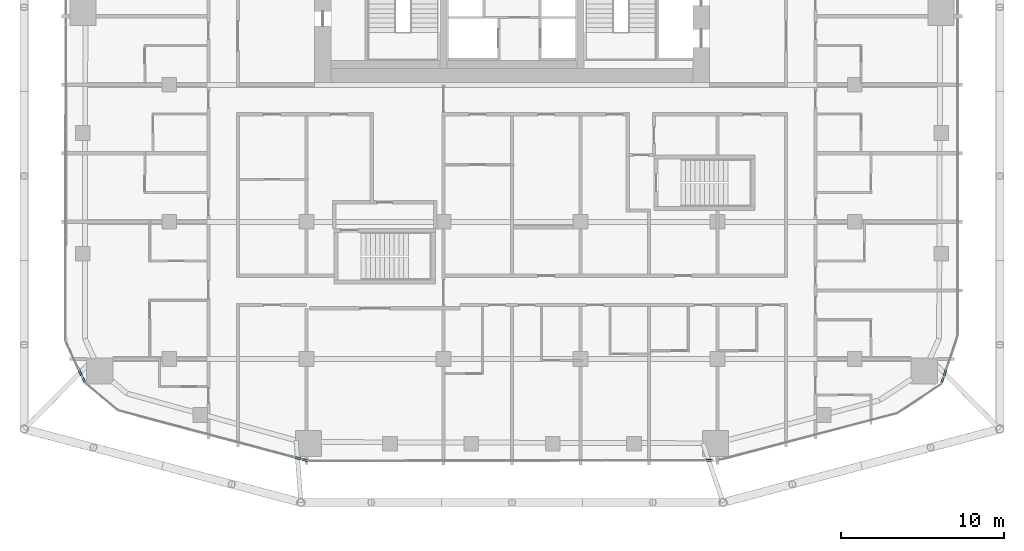
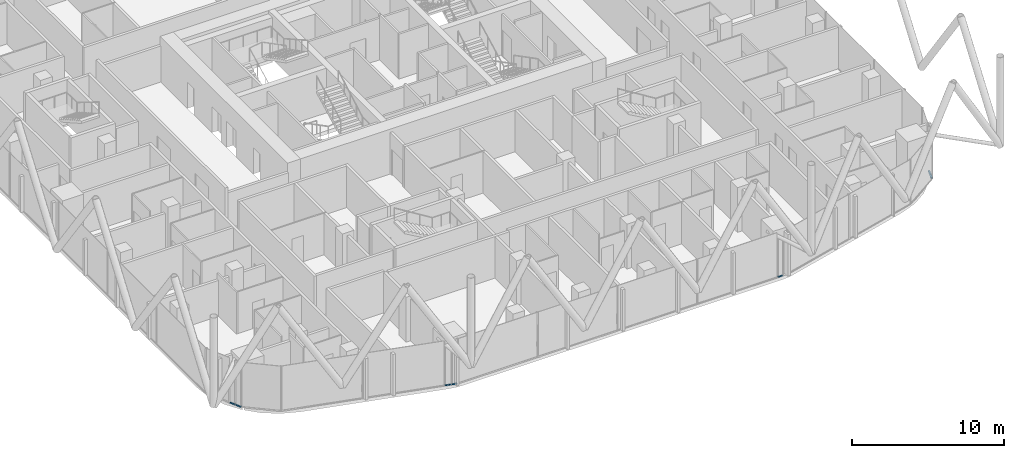
# One storey, part 15 of 33: 7 members, 7 elements without a shape of their own.
"""IFC4 building model written with IfcOpenShell, lengths in metres."""

from ifc_helpers import new_model, si_unit, direction, frame, origin, origin_2d, place, context, subcontext, project, spatial, rectangle, extrude, material, layer, layer_set, material_profile, profile_set, type_object, element, aggregate, save


model = new_model("IFC4")

# Units and contexts
model_context = context("Model", 3, precision=1e-05, world=origin(), true_north=direction((0.0, 1.0)))
body_context = subcontext(model_context, "Body", "Model", "MODEL_VIEW")
ifc_project = project(units=[si_unit("LENGTHUNIT", "METRE"), si_unit("AREAUNIT", "SQUARE_METRE"), si_unit("VOLUMEUNIT", "CUBIC_METRE"), si_unit("PLANEANGLEUNIT", "RADIAN"), si_unit("MASSUNIT", "GRAM", prefix="KILO")], contexts=[model_context])

# Site, building, storey
site_placement = place(None, origin())
site = spatial("IfcSite", under=ifc_project, at=site_placement, CompositionType="ELEMENT")
building_placement = place(site_placement, origin())
building = spatial("IfcBuilding", under=site, at=building_placement, Name="Marenta Gate Hotel Tower", CompositionType="ELEMENT")
storey_placement = place(building_placement, frame((0.0, 0.0, 137.300048828125)))
storey = spatial("IfcBuildingStorey", under=building, at=storey_placement, Name="L31", CompositionType="ELEMENT", Elevation=137.300048828125)

# Curtain wall, member
ifc_material_1 = material(Name="Tinted insulated glass in bronze anodised frame", Category="glass")
ifc_layer = layer(ifc_material_1, 0.1201171875)
ifc_layer_set = layer_set([ifc_layer], Name="Tinted insulated glass in bronze anodised frame")
curtain_wall_type = type_object("IfcCurtainWallType", Name="Tower unitised curtain wall CW1", PredefinedType="NOTDEFINED", material=ifc_layer_set)
curtain_wall_1_placement = place(storey_placement, origin())
curtain_wall_1 = element("IfcCurtainWall", 1, at=curtain_wall_1_placement, inside=storey, type_object=curtain_wall_type, Name="CW1 run G06", PredefinedType="NOTDEFINED")
ifc_material_2 = material(Name="Bronze anodised aluminium", Category="aluminium")
ifc_material_profile = material_profile(ifc_material_2, rectangle(XDim=0.1201171875, YDim=0.06005859375, at=origin_2d()), Name="Transom CW1 60x120 bronze anodised aluminium")
ifc_profile_set = profile_set([ifc_material_profile], Name="Bronze anodised aluminium")
member_type = type_object("IfcMemberType", Name="Transom CW1 60x120 bronze anodised aluminium", PredefinedType="USERDEFINED", material=ifc_profile_set)
member_1_placement = place(storey_placement, frame((-26.544189453125, -17.4677734375, 0.030029296875), z_axis=(0.423960267339, -0.905680789085, 0.0), x_axis=(0.905680789085, 0.423960267339, 0.0)))
member_1 = element("IfcMember", 2, at=member_1_placement, type_object=member_type, Name="CW1 transom 1.1", ObjectType="TRANSOM", PredefinedType="USERDEFINED", context=body_context, shape_type="SweptSolid", body=[
    extrude(rectangle(XDim=0.1201171875, YDim=0.06005859375, at=origin_2d()), origin(), (0.0, 0.0, 1.0), 0.422607421875),
])
aggregate(curtain_wall_1, [member_1])

curtain_wall_2_placement = place(storey_placement, origin())
curtain_wall_2 = element("IfcCurtainWall", 3, at=curtain_wall_2_placement, inside=storey, type_object=curtain_wall_type, Name="CW1 run G07", PredefinedType="NOTDEFINED")
member_2_placement = place(storey_placement, frame((-26.339599609375, -17.905029296875, 0.030029296875), z_axis=(0.42295417161, -0.906151073893, 0.0), x_axis=(0.906151073893, 0.42295417161, 0.0)))
member_2 = element("IfcMember", 4, at=member_2_placement, type_object=member_type, Name="CW1 transom 1.1", ObjectType="TRANSOM", PredefinedType="USERDEFINED", context=body_context, shape_type="SweptSolid", body=[
    extrude(rectangle(XDim=0.1201171875, YDim=0.06005859375, at=origin_2d()), origin(), (0.0, 0.0, 1.0), 0.38916015625),
])
aggregate(curtain_wall_2, [member_2])

curtain_wall_3_placement = place(storey_placement, origin())
curtain_wall_3 = element("IfcCurtainWall", 5, at=curtain_wall_3_placement, inside=storey, type_object=curtain_wall_type, Name="CW1 run G10", PredefinedType="NOTDEFINED")
member_3_placement = place(storey_placement, frame((-13.3193359375, -22.8310546875, 0.030029296875), z_axis=(0.966369996674, -0.257155652336, 0.0), x_axis=(0.257155652336, 0.966369996674, 0.0)))
member_3 = element("IfcMember", 6, at=member_3_placement, type_object=member_type, Name="CW1 transom 1.1", ObjectType="TRANSOM", PredefinedType="USERDEFINED", context=body_context, shape_type="SweptSolid", body=[
    extrude(rectangle(XDim=0.1201171875, YDim=0.06005859375, at=origin_2d()), origin(), (0.0, 0.0, 1.0), 0.419677734375),
])
aggregate(curtain_wall_3, [member_3])

curtain_wall_4_placement = place(storey_placement, origin())
curtain_wall_4 = element("IfcCurtainWall", 7, at=curtain_wall_4_placement, inside=storey, type_object=curtain_wall_type, Name="CW1 run G11", PredefinedType="NOTDEFINED")
member_4_placement = place(storey_placement, frame((-12.855712890625, -22.954345703125, 0.030029296875), z_axis=(0.96625731902, -0.257578713095, 0.0), x_axis=(0.257578713095, 0.96625731902, 0.0)))
member_4 = element("IfcMember", 8, at=member_4_placement, type_object=member_type, Name="CW1 transom 1.1", ObjectType="TRANSOM", PredefinedType="USERDEFINED", context=body_context, shape_type="SweptSolid", body=[
    extrude(rectangle(XDim=0.1201171875, YDim=0.06005859375, at=origin_2d()), origin(), (0.0, 0.0, 1.0), 0.362060546875),
])
aggregate(curtain_wall_4, [member_4])

curtain_wall_5_placement = place(storey_placement, origin())
curtain_wall_5 = element("IfcCurtainWall", 9, at=curtain_wall_5_placement, inside=storey, type_object=curtain_wall_type, Name="CW1 run G13", PredefinedType="NOTDEFINED")
member_5_placement = place(storey_placement, frame((11.881591796875, -23.01416015625, 0.030029296875), z_axis=(0.999999071937, 0.001362396556, 0.0), x_axis=(-0.001362396556, 0.999999071937, 0.0)))
member_5 = element("IfcMember", 10, at=member_5_placement, type_object=member_type, Name="CW1 transom 1.1", ObjectType="TRANSOM", PredefinedType="USERDEFINED", context=body_context, shape_type="SweptSolid", body=[
    extrude(rectangle(XDim=0.1201171875, YDim=0.06005859375, at=origin_2d()), origin(), (0.0, 0.0, 1.0), 0.3583984375),
])
aggregate(curtain_wall_5, [member_5])

curtain_wall_6_placement = place(storey_placement, origin())
curtain_wall_6 = element("IfcCurtainWall", 11, at=curtain_wall_6_placement, inside=storey, type_object=curtain_wall_type, Name="CW1 run G16", PredefinedType="NOTDEFINED")
member_6_placement = place(storey_placement, frame((26.32421875, -18.27783203125, 0.030029296875), z_axis=(0.322187955567, 0.946675721294, 0.0), x_axis=(-0.946675721294, 0.322187955567, 0.0)))
member_6 = element("IfcMember", 12, at=member_6_placement, type_object=member_type, Name="CW1 transom 1.1", ObjectType="TRANSOM", PredefinedType="USERDEFINED", context=body_context, shape_type="SweptSolid", body=[
    extrude(rectangle(XDim=0.1201171875, YDim=0.06005859375, at=origin_2d()), origin(), (0.0, 0.0, 1.0), 0.3681640625),
])
aggregate(curtain_wall_6, [member_6])

curtain_wall_7_placement = place(storey_placement, origin())
curtain_wall_7 = element("IfcCurtainWall", 13, at=curtain_wall_7_placement, inside=storey, type_object=curtain_wall_type, Name="CW1 run G17", PredefinedType="NOTDEFINED")
member_7_placement = place(storey_placement, frame((26.462158203125, -17.872314453125, 0.030029296875), z_axis=(0.321804616278, 0.946806098915, 0.0), x_axis=(-0.946806098915, 0.321804616278, 0.0)))
member_7 = element("IfcMember", 14, at=member_7_placement, type_object=member_type, Name="CW1 transom 1.1", ObjectType="TRANSOM", PredefinedType="USERDEFINED", context=body_context, shape_type="SweptSolid", body=[
    extrude(rectangle(XDim=0.1201171875, YDim=0.06005859375, at=origin_2d()), origin(), (0.0, 0.0, 1.0), 0.446044921875),
])
aggregate(curtain_wall_7, [member_7])

save(model, "model.ifc")
